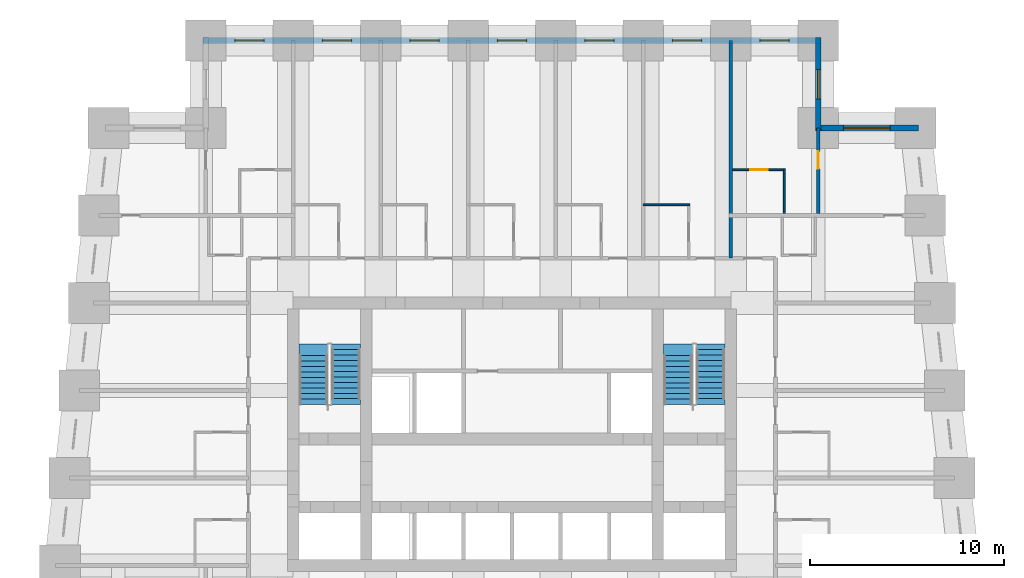
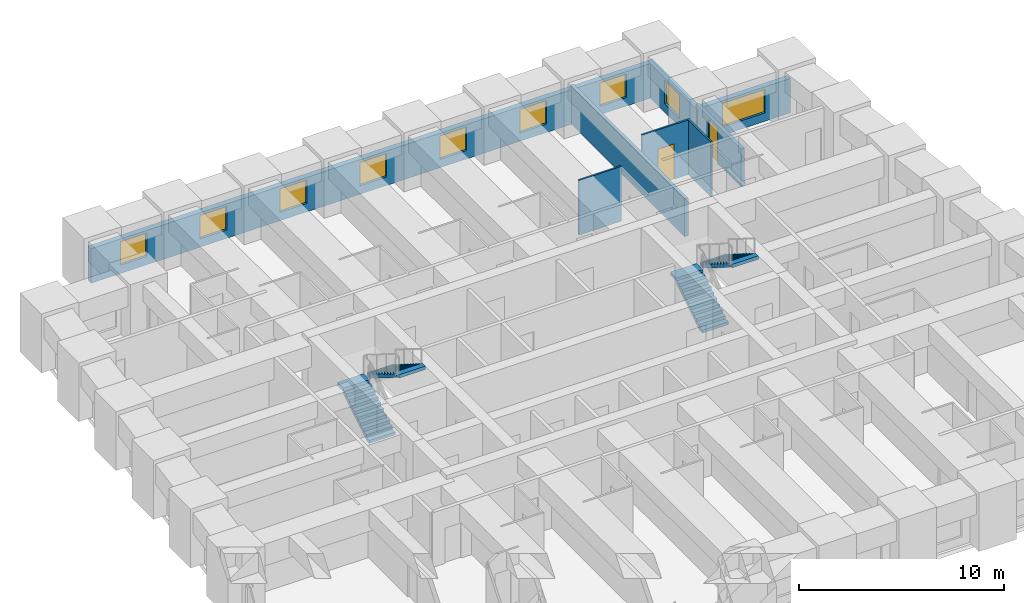
# One storey, part 7 of 8: 9 windows, 8 walls, 4 stair flights, 2 doors, 11 openings, 2 elements without a shape of their own.
"""IFC4 building model written with IfcOpenShell, lengths in metres."""

from ifc_helpers import new_model, si_unit, direction, frame, frame_2d, origin, place, context, subcontext, project, spatial, polyline, rectangle, outline, extrude, material, layer, layer_set, type_object, element, fill, aggregate, save


model = new_model("IFC4")

# Units and contexts
model_context = context("Model", 3, precision=1e-05, world=origin(), true_north=direction((0.0, 1.0)))
body_context = subcontext(model_context, "Body", "Model", "MODEL_VIEW")
ifc_project = project(units=[si_unit("LENGTHUNIT", "METRE"), si_unit("AREAUNIT", "SQUARE_METRE"), si_unit("VOLUMEUNIT", "CUBIC_METRE"), si_unit("PLANEANGLEUNIT", "RADIAN"), si_unit("MASSUNIT", "GRAM", prefix="KILO")], contexts=[model_context])

# Site, building, storey
site_placement = place(None, origin())
site = spatial("IfcSite", under=ifc_project, at=site_placement, CompositionType="ELEMENT")
building_placement = place(site_placement, origin())
building = spatial("IfcBuilding", under=site, at=building_placement, Name="Kilele Tower Hotel", CompositionType="ELEMENT")
storey_placement = place(building_placement, frame((0.0, 0.0, 33.199951171875)))
storey = spatial("IfcBuildingStorey", under=building, at=storey_placement, Name="L06", CompositionType="ELEMENT", Elevation=33.199951171875)

# Walls
ifc_material_1 = material(Name="Moisture-resistant board")
ifc_layer_1 = layer(ifc_material_1, 0.10009765625)
ifc_layer_set_1 = layer_set([ifc_layer_1], Name="Moisture-resistant board")
wall_type_1 = type_object("IfcWallType", Name="Bathroom partition 100", PredefinedType="PLUMBINGWALL", material=ifc_layer_set_1)
wall_1_placement = place(storey_placement, frame((31.5, 32.050048828125, 0.0), z_axis=(0.0, 0.0, 1.0), x_axis=(1.0, 0.0, 0.0)))
element("IfcWall", 1, at=wall_1_placement, inside=storey, type_object=wall_type_1, Name="Bathroom partition 100 L06", PredefinedType="PLUMBINGWALL", context=body_context, shape_type="SweptSolid", body=[
    extrude(rectangle(XDim=2.39990234375, YDim=0.10009765625, at=frame_2d((1.199951171875, 0.0))), origin(), (0.0, 0.0, 1.0), 3.25),
])
wall_2_placement = place(storey_placement, frame((38.75, 31.60009765625, 0.0), z_axis=(0.0, 0.0, 1.0), x_axis=(0.0, 1.0, 0.0)))
element("IfcWall", 2, at=wall_2_placement, inside=storey, type_object=wall_type_1, Name="Bathroom partition 100 L06", PredefinedType="PLUMBINGWALL", context=body_context, shape_type="SweptSolid", body=[
    extrude(rectangle(XDim=2.2998046875, YDim=0.10009765625, at=frame_2d((1.14990234375, 0.0))), origin(), (0.0, 0.0, 1.0), 3.25),
])

# Wall, opening, door
wall_3_placement = place(storey_placement, frame((36.10009765625, 33.85009765625, 0.0), z_axis=(0.0, 0.0, 1.0), x_axis=(1.0, 0.0, 0.0)))
wall_3 = element("IfcWall", 3, at=wall_3_placement, inside=storey, type_object=wall_type_1, Name="Bathroom partition 100 L06", PredefinedType="PLUMBINGWALL", context=body_context, shape_type="SweptSolid", body=[
    extrude(rectangle(XDim=2.699951171875, YDim=0.10009765625, at=frame_2d((1.35009765625, 0.0))), origin(), (0.0, 0.0, 1.0), 3.25),
])
opening_1_placement = place(wall_3_placement, frame((0.89990234375, 0.0, 0.0)))
opening_1 = element("IfcOpeningElement", 4, at=opening_1_placement, cuts=wall_3, Name="Opening D2A", PredefinedType="OPENING", context=body_context, shape_type="SweptSolid", body=[
    extrude(rectangle(XDim=0.89990234375, YDim=2.10009765625, at=frame_2d((0.449951171875, 1.050048828125))), frame((0.0, 0.06005859375, 0.0), z_axis=(0.0, -1.0, 0.0), x_axis=(1.0, 0.0, 0.0)), (0.0, 0.0, 1.0), 0.1201171875),
])
ifc_material_2 = material(Name="Timber door leaf in hardwood frame", Category="wood")
door_type_1 = type_object("IfcDoorType", Name="Bathroom door 900", OperationType="SINGLE_SWING_LEFT", PredefinedType="DOOR", material=ifc_material_2)
door_1_placement = place(opening_1_placement, origin())
door_1 = element("IfcDoor", 5, at=door_1_placement, inside=storey, type_object=door_type_1, Name="Bathroom door 0624B", OperationType="SINGLE_SWING_LEFT", OverallHeight=2.10009765625, OverallWidth=0.89990234375, PredefinedType="DOOR", context=body_context, shape_type="SweptSolid", body=[
    extrude(rectangle(XDim=0.89990234375, YDim=2.10009765625, at=frame_2d((0.449951171875, 1.050048828125))), frame((0.0, 0.02490234375, 0.0), z_axis=(0.0, -1.0, 0.0), x_axis=(1.0, 0.0, 0.0)), (0.0, 0.0, 1.0), 0.050048828125),
])
fill(opening_1, door_1)

ifc_material_3 = material(Name="Blockwork, plastered both sides", Category="masonry")
ifc_layer_2 = layer(ifc_material_3, 0.199951171875)
ifc_layer_set_2 = layer_set([ifc_layer_2], Name="Blockwork, plastered both sides")
wall_type_2 = type_object("IfcWallType", Name="Partition wall 200", PredefinedType="PARTITIONING", material=ifc_layer_set_2)
wall_4_placement = place(storey_placement, frame((40.5, 31.60009765625, 0.0), z_axis=(0.0, 0.0, 1.0), x_axis=(0.0, 1.0, 0.0)))
wall_4 = element("IfcWall", 6, at=wall_4_placement, inside=storey, type_object=wall_type_2, Name="Partition wall 200 L06", PredefinedType="PARTITIONING", context=body_context, shape_type="SweptSolid", body=[
    extrude(rectangle(XDim=4.39990234375, YDim=0.199951171875, at=frame_2d((2.199951171875, 0.0))), origin(), (0.0, 0.0, 1.0), 2.25),
])
opening_2_placement = place(wall_4_placement, frame((2.300048828125, 0.0, 0.0)))
opening_2 = element("IfcOpeningElement", 7, at=opening_2_placement, cuts=wall_4, Name="Opening D3", PredefinedType="OPENING", context=body_context, shape_type="SweptSolid", body=[
    extrude(rectangle(XDim=0.89990234375, YDim=2.10009765625, at=frame_2d((0.449951171875, 1.050048828125))), frame((0.0, 0.10986328125, 0.0), z_axis=(0.0, -1.0, 0.0), x_axis=(1.0, 0.0, 0.0)), (0.0, 0.0, 1.0), 0.219970703125),
])
ifc_material_4 = material(Name="Timber door leaf in hardwood frame", Category="wood")
door_type_2 = type_object("IfcDoorType", Name="Suite internal door 900", OperationType="SINGLE_SWING_LEFT", PredefinedType="DOOR", material=ifc_material_4)
door_2_placement = place(opening_2_placement, origin())
door_2 = element("IfcDoor", 8, at=door_2_placement, inside=storey, type_object=door_type_2, Name="Suite door 0625", OperationType="SINGLE_SWING_RIGHT", OverallHeight=2.10009765625, OverallWidth=0.89990234375, PredefinedType="DOOR", context=body_context, shape_type="SweptSolid", body=[
    extrude(rectangle(XDim=0.89990234375, YDim=2.10009765625, at=frame_2d((0.449951171875, 1.050048828125))), frame((0.0, 0.02490234375, 0.0), z_axis=(0.0, -1.0, 0.0), x_axis=(1.0, 0.0, 0.0)), (0.0, 0.0, 1.0), 0.050048828125),
])
fill(opening_2, door_2)

# Wall
ifc_material_5 = material(Name="Blockwork, plastered both sides", Category="masonry")
ifc_layer_3 = layer(ifc_material_5, 0.199951171875)
ifc_layer_set_3 = layer_set([ifc_layer_3], Name="Blockwork, plastered both sides")
wall_type_3 = type_object("IfcWallType", Name="Party wall 200", PredefinedType="PARTITIONING", material=ifc_layer_set_3)
wall_5_placement = place(storey_placement, frame((36.0, 29.300048828125, 0.0), z_axis=(0.0, 0.0, 1.0), x_axis=(0.0, 1.0, 0.0)))
element("IfcWall", 9, at=wall_5_placement, inside=storey, type_object=wall_type_3, Name="Party wall 200 L06", PredefinedType="PARTITIONING", context=body_context, shape_type="SweptSolid", body=[
    extrude(rectangle(XDim=11.199951171875, YDim=0.199951171875, at=frame_2d((5.60009765625, 0.0))), origin(), (0.0, 0.0, 1.0), 2.25),
])

# Wall, opening, window
ifc_material_6 = material(Name="Concrete C40/50 precast", Category="concrete")
ifc_layer_4 = layer(ifc_material_6, 0.260009765625, Name="Precast backing", Category="LoadBearing")
ifc_material_7 = material(Name="Reconstituted stone finish", Category="masonry")
ifc_layer_5 = layer(ifc_material_7, 0.0400390625, Name="Face mix", Category="Finish")
ifc_layer_set_4 = layer_set([ifc_layer_4, ifc_layer_5], Name="Precast concrete C40/50, reconstituted stone finish")
wall_type_4 = type_object("IfcWallType", Name="Precast stone facade wall 300", PredefinedType="STANDARD", material=ifc_layer_set_4)
wall_6_placement = place(storey_placement, frame((45.64990234375, 36.0, 0.0), z_axis=(0.0, 0.0, 1.0), x_axis=(-1.0, 0.0, 0.0)))
wall_6 = element("IfcWall", 10, at=wall_6_placement, inside=storey, type_object=wall_type_4, Name="Facade wall L06 edge 7", PredefinedType="STANDARD", context=body_context, shape_type="SweptSolid", body=[
    extrude(rectangle(XDim=5.2998046875, YDim=0.300048828125, at=frame_2d((2.64990234375, 0.0))), origin(), (0.0, 0.0, 1.0), 2.050048828125),
])
opening_3_placement = place(wall_6_placement, frame((1.449951171875, 0.0, 0.5)))
opening_3 = element("IfcOpeningElement", 11, at=opening_3_placement, cuts=wall_6, Name="Opening W1", PredefinedType="OPENING", context=body_context, shape_type="SweptSolid", body=[
    extrude(rectangle(XDim=2.39990234375, YDim=1.39990234375, at=frame_2d((1.199951171875, 0.699951171875))), frame((0.0, 0.159912109375, 0.0), z_axis=(0.0, -1.0, 0.0), x_axis=(1.0, 0.0, 0.0)), (0.0, 0.0, 1.0), 0.320068359375),
])
ifc_material_8 = material(Name="Aluminium frame, clear double glazing", Category="aluminium")
window_type_1 = type_object("IfcWindowType", Name="Window W1 2400 x 1400", PartitioningType="SINGLE_PANEL", PredefinedType="WINDOW", material=ifc_material_8)
window_1_placement = place(opening_3_placement, origin())
window_1 = element("IfcWindow", 12, at=window_1_placement, inside=storey, type_object=window_type_1, Name="Window L06", OverallHeight=1.39990234375, OverallWidth=2.39990234375, PartitioningType="SINGLE_PANEL", PredefinedType="WINDOW", context=body_context, shape_type="SweptSolid", body=[
    extrude(rectangle(XDim=2.39990234375, YDim=1.39990234375, at=frame_2d((1.199951171875, 0.699951171875))), frame((0.0, 0.030029296875, 0.0), z_axis=(0.0, -1.0, 0.0), x_axis=(1.0, 0.0, 0.0)), (0.0, 0.0, 1.0), 0.06005859375),
])
fill(opening_3, window_1)

wall_7_placement = place(storey_placement, frame((40.5, 35.85009765625, 0.0), z_axis=(0.0, 0.0, 1.0), x_axis=(0.0, 1.0, 0.0)))
wall_7 = element("IfcWall", 13, at=wall_7_placement, inside=storey, type_object=wall_type_4, Name="Facade wall L06 edge 8", PredefinedType="STANDARD", context=body_context, shape_type="SweptSolid", body=[
    extrude(rectangle(XDim=4.7998046875, YDim=0.300048828125, at=frame_2d((2.39990234375, 0.0))), origin(), (0.0, 0.0, 1.0), 2.050048828125),
])
opening_4_placement = place(wall_7_placement, frame((1.64990234375, 0.0, 0.5)))
opening_4 = element("IfcOpeningElement", 14, at=opening_4_placement, cuts=wall_7, Name="Opening W1", PredefinedType="OPENING", context=body_context, shape_type="SweptSolid", body=[
    extrude(rectangle(XDim=1.5, YDim=1.39990234375, at=frame_2d((0.75, 0.699951171875))), frame((0.0, 0.159912109375, 0.0), z_axis=(0.0, -1.0, 0.0), x_axis=(1.0, 0.0, 0.0)), (0.0, 0.0, 1.0), 0.320068359375),
])
ifc_material_9 = material(Name="Aluminium frame, clear double glazing", Category="aluminium")
window_type_2 = type_object("IfcWindowType", Name="Window W1 1500 x 1400", PartitioningType="SINGLE_PANEL", PredefinedType="WINDOW", material=ifc_material_9)
window_2_placement = place(opening_4_placement, origin())
window_2 = element("IfcWindow", 15, at=window_2_placement, inside=storey, type_object=window_type_2, Name="Window L06", OverallHeight=1.39990234375, OverallWidth=1.5, PartitioningType="SINGLE_PANEL", PredefinedType="WINDOW", context=body_context, shape_type="SweptSolid", body=[
    extrude(rectangle(XDim=1.5, YDim=1.39990234375, at=frame_2d((0.75, 0.699951171875))), frame((0.0, 0.030029296875, 0.0), z_axis=(0.0, -1.0, 0.0), x_axis=(1.0, 0.0, 0.0)), (0.0, 0.0, 1.0), 0.06005859375),
])
fill(opening_4, window_2)

# Wall, openings, windows
wall_8_placement = place(storey_placement, frame((40.64990234375, 40.5, 0.0), z_axis=(0.0, 0.0, 1.0), x_axis=(-1.0, 0.0, 0.0)))
wall_8 = element("IfcWall", 16, at=wall_8_placement, inside=storey, type_object=wall_type_4, Name="Facade wall L06 edge 9", PredefinedType="STANDARD", context=body_context, shape_type="SweptSolid", body=[
    extrude(rectangle(XDim=31.7998046875, YDim=0.300048828125, at=frame_2d((15.89990234375, 0.0))), origin(), (0.0, 0.0, 1.0), 2.050048828125),
])
opening_5_placement = place(wall_8_placement, frame((1.64990234375, 0.0, 0.5)))
opening_5 = element("IfcOpeningElement", 17, at=opening_5_placement, cuts=wall_8, Name="Opening W1", PredefinedType="OPENING", context=body_context, shape_type="SweptSolid", body=[
    extrude(rectangle(XDim=1.5, YDim=1.39990234375, at=frame_2d((0.75, 0.699951171875))), frame((0.0, 0.159912109375, 0.0), z_axis=(0.0, -1.0, 0.0), x_axis=(1.0, 0.0, 0.0)), (0.0, 0.0, 1.0), 0.320068359375),
])
opening_6_placement = place(wall_8_placement, frame((6.14990234375, 0.0, 0.5)))
opening_6 = element("IfcOpeningElement", 18, at=opening_6_placement, cuts=wall_8, Name="Opening W1", PredefinedType="OPENING", context=body_context, shape_type="SweptSolid", body=[
    extrude(rectangle(XDim=1.5, YDim=1.39990234375, at=frame_2d((0.75, 0.699951171875))), frame((0.0, 0.159912109375, 0.0), z_axis=(0.0, -1.0, 0.0), x_axis=(1.0, 0.0, 0.0)), (0.0, 0.0, 1.0), 0.320068359375),
])
opening_7_placement = place(wall_8_placement, frame((10.64990234375, 0.0, 0.5)))
opening_7 = element("IfcOpeningElement", 19, at=opening_7_placement, cuts=wall_8, Name="Opening W1", PredefinedType="OPENING", context=body_context, shape_type="SweptSolid", body=[
    extrude(rectangle(XDim=1.5, YDim=1.39990234375, at=frame_2d((0.75, 0.699951171875))), frame((0.0, 0.159912109375, 0.0), z_axis=(0.0, -1.0, 0.0), x_axis=(1.0, 0.0, 0.0)), (0.0, 0.0, 1.0), 0.320068359375),
])
opening_8_placement = place(wall_8_placement, frame((15.14990234375, 0.0, 0.5)))
opening_8 = element("IfcOpeningElement", 20, at=opening_8_placement, cuts=wall_8, Name="Opening W1", PredefinedType="OPENING", context=body_context, shape_type="SweptSolid", body=[
    extrude(rectangle(XDim=1.5, YDim=1.39990234375, at=frame_2d((0.75, 0.699951171875))), frame((0.0, 0.159912109375, 0.0), z_axis=(0.0, -1.0, 0.0), x_axis=(1.0, 0.0, 0.0)), (0.0, 0.0, 1.0), 0.320068359375),
])
opening_9_placement = place(wall_8_placement, frame((19.64990234375, 0.0, 0.5)))
opening_9 = element("IfcOpeningElement", 21, at=opening_9_placement, cuts=wall_8, Name="Opening W1", PredefinedType="OPENING", context=body_context, shape_type="SweptSolid", body=[
    extrude(rectangle(XDim=1.5, YDim=1.39990234375, at=frame_2d((0.75, 0.699951171875))), frame((0.0, 0.159912109375, 0.0), z_axis=(0.0, -1.0, 0.0), x_axis=(1.0, 0.0, 0.0)), (0.0, 0.0, 1.0), 0.320068359375),
])
opening_10_placement = place(wall_8_placement, frame((24.14990234375, 0.0, 0.5)))
opening_10 = element("IfcOpeningElement", 22, at=opening_10_placement, cuts=wall_8, Name="Opening W1", PredefinedType="OPENING", context=body_context, shape_type="SweptSolid", body=[
    extrude(rectangle(XDim=1.5, YDim=1.39990234375, at=frame_2d((0.75, 0.699951171875))), frame((0.0, 0.159912109375, 0.0), z_axis=(0.0, -1.0, 0.0), x_axis=(1.0, 0.0, 0.0)), (0.0, 0.0, 1.0), 0.320068359375),
])
opening_11_placement = place(wall_8_placement, frame((28.64990234375, 0.0, 0.5)))
opening_11 = element("IfcOpeningElement", 23, at=opening_11_placement, cuts=wall_8, Name="Opening W1", PredefinedType="OPENING", context=body_context, shape_type="SweptSolid", body=[
    extrude(rectangle(XDim=1.5, YDim=1.39990234375, at=frame_2d((0.75, 0.699951171875))), frame((0.0, 0.159912109375, 0.0), z_axis=(0.0, -1.0, 0.0), x_axis=(1.0, 0.0, 0.0)), (0.0, 0.0, 1.0), 0.320068359375),
])
window_3_placement = place(opening_5_placement, origin())
window_3 = element("IfcWindow", 24, at=window_3_placement, inside=storey, type_object=window_type_2, Name="Window L06", OverallHeight=1.39990234375, OverallWidth=1.5, PartitioningType="SINGLE_PANEL", PredefinedType="WINDOW", context=body_context, shape_type="SweptSolid", body=[
    extrude(rectangle(XDim=1.5, YDim=1.39990234375, at=frame_2d((0.75, 0.699951171875))), frame((0.0, 0.030029296875, 0.0), z_axis=(0.0, -1.0, 0.0), x_axis=(1.0, 0.0, 0.0)), (0.0, 0.0, 1.0), 0.06005859375),
])
fill(opening_5, window_3)
window_4_placement = place(opening_6_placement, origin())
window_4 = element("IfcWindow", 25, at=window_4_placement, inside=storey, type_object=window_type_2, Name="Window L06", OverallHeight=1.39990234375, OverallWidth=1.5, PartitioningType="SINGLE_PANEL", PredefinedType="WINDOW", context=body_context, shape_type="SweptSolid", body=[
    extrude(rectangle(XDim=1.5, YDim=1.39990234375, at=frame_2d((0.75, 0.699951171875))), frame((0.0, 0.030029296875, 0.0), z_axis=(0.0, -1.0, 0.0), x_axis=(1.0, 0.0, 0.0)), (0.0, 0.0, 1.0), 0.06005859375),
])
fill(opening_6, window_4)
window_5_placement = place(opening_7_placement, origin())
window_5 = element("IfcWindow", 26, at=window_5_placement, inside=storey, type_object=window_type_2, Name="Window L06", OverallHeight=1.39990234375, OverallWidth=1.5, PartitioningType="SINGLE_PANEL", PredefinedType="WINDOW", context=body_context, shape_type="SweptSolid", body=[
    extrude(rectangle(XDim=1.5, YDim=1.39990234375, at=frame_2d((0.75, 0.699951171875))), frame((0.0, 0.030029296875, 0.0), z_axis=(0.0, -1.0, 0.0), x_axis=(1.0, 0.0, 0.0)), (0.0, 0.0, 1.0), 0.06005859375),
])
fill(opening_7, window_5)
window_6_placement = place(opening_8_placement, origin())
window_6 = element("IfcWindow", 27, at=window_6_placement, inside=storey, type_object=window_type_2, Name="Window L06", OverallHeight=1.39990234375, OverallWidth=1.5, PartitioningType="SINGLE_PANEL", PredefinedType="WINDOW", context=body_context, shape_type="SweptSolid", body=[
    extrude(rectangle(XDim=1.5, YDim=1.39990234375, at=frame_2d((0.75, 0.699951171875))), frame((0.0, 0.030029296875, 0.0), z_axis=(0.0, -1.0, 0.0), x_axis=(1.0, 0.0, 0.0)), (0.0, 0.0, 1.0), 0.06005859375),
])
fill(opening_8, window_6)
window_7_placement = place(opening_9_placement, origin())
window_7 = element("IfcWindow", 28, at=window_7_placement, inside=storey, type_object=window_type_2, Name="Window L06", OverallHeight=1.39990234375, OverallWidth=1.5, PartitioningType="SINGLE_PANEL", PredefinedType="WINDOW", context=body_context, shape_type="SweptSolid", body=[
    extrude(rectangle(XDim=1.5, YDim=1.39990234375, at=frame_2d((0.75, 0.699951171875))), frame((0.0, 0.030029296875, 0.0), z_axis=(0.0, -1.0, 0.0), x_axis=(1.0, 0.0, 0.0)), (0.0, 0.0, 1.0), 0.06005859375),
])
fill(opening_9, window_7)
window_8_placement = place(opening_10_placement, origin())
window_8 = element("IfcWindow", 29, at=window_8_placement, inside=storey, type_object=window_type_2, Name="Window L06", OverallHeight=1.39990234375, OverallWidth=1.5, PartitioningType="SINGLE_PANEL", PredefinedType="WINDOW", context=body_context, shape_type="SweptSolid", body=[
    extrude(rectangle(XDim=1.5, YDim=1.39990234375, at=frame_2d((0.75, 0.699951171875))), frame((0.0, 0.030029296875, 0.0), z_axis=(0.0, -1.0, 0.0), x_axis=(1.0, 0.0, 0.0)), (0.0, 0.0, 1.0), 0.06005859375),
])
fill(opening_10, window_8)
window_9_placement = place(opening_11_placement, origin())
window_9 = element("IfcWindow", 30, at=window_9_placement, inside=storey, type_object=window_type_2, Name="Window L06", OverallHeight=1.39990234375, OverallWidth=1.5, PartitioningType="SINGLE_PANEL", PredefinedType="WINDOW", context=body_context, shape_type="SweptSolid", body=[
    extrude(rectangle(XDim=1.5, YDim=1.39990234375, at=frame_2d((0.75, 0.699951171875))), frame((0.0, 0.030029296875, 0.0), z_axis=(0.0, -1.0, 0.0), x_axis=(1.0, 0.0, 0.0)), (0.0, 0.0, 1.0), 0.06005859375),
])
fill(opening_11, window_9)

# Stair, stair flights
ifc_material_10 = material(Name="Precast concrete C40/50", Category="concrete")
stair_type = type_object("IfcStairType", Name="Stair 1475 x 3500", PredefinedType="HALF_TURN_STAIR", material=ifc_material_10)
stair_1_placement = place(storey_placement, origin())
stair_1 = element("IfcStair", 31, at=stair_1_placement, inside=storey, type_object=stair_type, Name="Stair 1 L06", PredefinedType="HALF_TURN_STAIR")
ifc_material_11 = material(Name="Precast concrete C40/50", Category="concrete")
stair_flight_type = type_object("IfcStairFlightType", Name="Flight 1475 riser 175.0", PredefinedType="STRAIGHT", material=ifc_material_11)
stair_flight_1_placement = place(storey_placement, frame((14.53759765625, 21.77490234375, 0.0), z_axis=(0.0, 0.0, 1.0), x_axis=(0.0, 1.0, 0.0)))
stair_flight_1 = element("IfcStairFlight", 32, at=stair_flight_1_placement, type_object=stair_flight_type, Name="ST1 flight 1", NumberOfRisers=10, NumberOfTreads=9, PredefinedType="STRAIGHT", RiserHeight=0.175, TreadLength=0.28, context=body_context, shape_type="SweptSolid", body=[
    extrude(outline(polyline([(0.0, 0.0), (0.0, 0.175048828125), (0.280029296875, 0.175048828125), (0.280029296875, 0.35009765625), (0.56005859375, 0.35009765625), (0.56005859375, 0.52490234375), (0.840087890625, 0.52490234375), (0.840087890625, 0.699951171875), (1.1201171875, 0.699951171875), (1.1201171875, 0.875), (1.39990234375, 0.875), (1.39990234375, 1.050048828125), (1.679931640625, 1.050048828125), (1.679931640625, 1.22509765625), (1.9599609375, 1.22509765625), (1.9599609375, 1.39990234375), (2.239990234375, 1.39990234375), (2.239990234375, 1.574951171875), (2.52001953125, 1.574951171875), (2.52001953125, 1.75), (2.52001953125, 1.398193359375), (0.28271484375, 0.0), (0.0, 0.0)])), frame((0.0, 0.737548828125, 0.0), z_axis=(0.0, -1.0, 0.0), x_axis=(1.0, 0.0, 0.0)), (0.0, 0.0, 1.0), 1.47509765625),
    extrude(outline(polyline([(2.52001953125, 0.737548828125), (2.52001953125, -0.7373046875), (3.1201171875, -0.7373046875), (3.1201171875, 0.737548828125), (2.52001953125, 0.737548828125)])), frame((0.0, 0.0, 1.550048828125)), (0.0, 0.0, 1.0), 0.199951171875),
])
stair_flight_2_placement = place(storey_placement, frame((16.21240234375, 24.594970703125, 1.75), z_axis=(0.0, 0.0, 1.0), x_axis=(0.0, -1.0, 0.0)))
stair_flight_2 = element("IfcStairFlight", 33, at=stair_flight_2_placement, type_object=stair_flight_type, Name="ST1 flight 2", NumberOfRisers=10, NumberOfTreads=9, PredefinedType="STRAIGHT", RiserHeight=0.175, TreadLength=0.28, context=body_context, shape_type="SweptSolid", body=[
    extrude(outline(polyline([(0.0, 0.0), (0.0, 0.175048828125), (0.280029296875, 0.175048828125), (0.280029296875, 0.35009765625), (0.56005859375, 0.35009765625), (0.56005859375, 0.52490234375), (0.840087890625, 0.52490234375), (0.840087890625, 0.699951171875), (1.1201171875, 0.699951171875), (1.1201171875, 0.875), (1.39990234375, 0.875), (1.39990234375, 1.050048828125), (1.679931640625, 1.050048828125), (1.679931640625, 1.22509765625), (1.9599609375, 1.22509765625), (1.9599609375, 1.39990234375), (2.239990234375, 1.39990234375), (2.239990234375, 1.574951171875), (2.52001953125, 1.574951171875), (2.52001953125, 1.75), (2.52001953125, 1.398193359375), (0.28271484375, 0.0), (0.0, 0.0)])), frame((0.0, 0.737548828125, 0.0), z_axis=(0.0, -1.0, 0.0), x_axis=(1.0, 0.0, 0.0)), (0.0, 0.0, 1.0), 1.47509765625),
    extrude(outline(polyline([(0.0, -0.7373046875), (0.0, 0.737548828125), (-0.300048828125, 0.737548828125), (-0.300048828125, -0.7373046875), (0.0, -0.7373046875)])), frame((0.0, 0.0, -0.199951171875)), (0.0, 0.0, 1.0), 0.199951171875),
    extrude(outline(polyline([(2.820068359375, -0.7373046875), (2.820068359375, 0.737548828125), (2.52001953125, 0.737548828125), (2.52001953125, -0.7373046875), (2.820068359375, -0.7373046875)])), frame((0.0, 0.0, 1.550048828125)), (0.0, 0.0, 1.0), 0.199951171875),
])
aggregate(stair_1, [stair_flight_1, stair_flight_2])

stair_2_placement = place(storey_placement, origin())
stair_2 = element("IfcStair", 34, at=stair_2_placement, inside=storey, type_object=stair_type, Name="Stair 2 L06", PredefinedType="HALF_TURN_STAIR")
stair_flight_3_placement = place(storey_placement, frame((33.28759765625, 21.77490234375, 0.0), z_axis=(0.0, 0.0, 1.0), x_axis=(0.0, 1.0, 0.0)))
stair_flight_3 = element("IfcStairFlight", 35, at=stair_flight_3_placement, type_object=stair_flight_type, Name="ST2 flight 1", NumberOfRisers=10, NumberOfTreads=9, PredefinedType="STRAIGHT", RiserHeight=0.175, TreadLength=0.28, context=body_context, shape_type="SweptSolid", body=[
    extrude(outline(polyline([(0.0, 0.0), (0.0, 0.175048828125), (0.280029296875, 0.175048828125), (0.280029296875, 0.35009765625), (0.56005859375, 0.35009765625), (0.56005859375, 0.52490234375), (0.840087890625, 0.52490234375), (0.840087890625, 0.699951171875), (1.1201171875, 0.699951171875), (1.1201171875, 0.875), (1.39990234375, 0.875), (1.39990234375, 1.050048828125), (1.679931640625, 1.050048828125), (1.679931640625, 1.22509765625), (1.9599609375, 1.22509765625), (1.9599609375, 1.39990234375), (2.239990234375, 1.39990234375), (2.239990234375, 1.574951171875), (2.52001953125, 1.574951171875), (2.52001953125, 1.75), (2.52001953125, 1.398193359375), (0.28271484375, 0.0), (0.0, 0.0)])), frame((0.0, 0.737548828125, 0.0), z_axis=(0.0, -1.0, 0.0), x_axis=(1.0, 0.0, 0.0)), (0.0, 0.0, 1.0), 1.47509765625),
    extrude(outline(polyline([(2.52001953125, 0.737548828125), (2.52001953125, -0.7373046875), (3.1201171875, -0.7373046875), (3.1201171875, 0.737548828125), (2.52001953125, 0.737548828125)])), frame((0.0, 0.0, 1.550048828125)), (0.0, 0.0, 1.0), 0.199951171875),
])
stair_flight_4_placement = place(storey_placement, frame((34.96240234375, 24.594970703125, 1.75), z_axis=(0.0, 0.0, 1.0), x_axis=(0.0, -1.0, 0.0)))
stair_flight_4 = element("IfcStairFlight", 36, at=stair_flight_4_placement, type_object=stair_flight_type, Name="ST2 flight 2", NumberOfRisers=10, NumberOfTreads=9, PredefinedType="STRAIGHT", RiserHeight=0.175, TreadLength=0.28, context=body_context, shape_type="SweptSolid", body=[
    extrude(outline(polyline([(0.0, 0.0), (0.0, 0.175048828125), (0.280029296875, 0.175048828125), (0.280029296875, 0.35009765625), (0.56005859375, 0.35009765625), (0.56005859375, 0.52490234375), (0.840087890625, 0.52490234375), (0.840087890625, 0.699951171875), (1.1201171875, 0.699951171875), (1.1201171875, 0.875), (1.39990234375, 0.875), (1.39990234375, 1.050048828125), (1.679931640625, 1.050048828125), (1.679931640625, 1.22509765625), (1.9599609375, 1.22509765625), (1.9599609375, 1.39990234375), (2.239990234375, 1.39990234375), (2.239990234375, 1.574951171875), (2.52001953125, 1.574951171875), (2.52001953125, 1.75), (2.52001953125, 1.398193359375), (0.28271484375, 0.0), (0.0, 0.0)])), frame((0.0, 0.737548828125, 0.0), z_axis=(0.0, -1.0, 0.0), x_axis=(1.0, 0.0, 0.0)), (0.0, 0.0, 1.0), 1.47509765625),
    extrude(outline(polyline([(0.0, -0.7373046875), (0.0, 0.737548828125), (-0.300048828125, 0.737548828125), (-0.300048828125, -0.7373046875), (0.0, -0.7373046875)])), frame((0.0, 0.0, -0.199951171875)), (0.0, 0.0, 1.0), 0.199951171875),
    extrude(outline(polyline([(2.820068359375, -0.7373046875), (2.820068359375, 0.737548828125), (2.52001953125, 0.737548828125), (2.52001953125, -0.7373046875), (2.820068359375, -0.7373046875)])), frame((0.0, 0.0, 1.550048828125)), (0.0, 0.0, 1.0), 0.199951171875),
])
aggregate(stair_2, [stair_flight_3, stair_flight_4])

save(model, "model.ifc")
